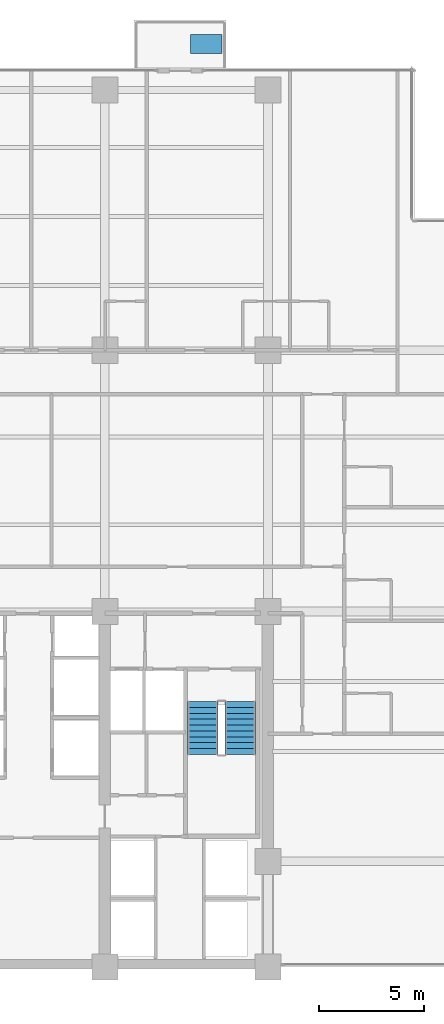
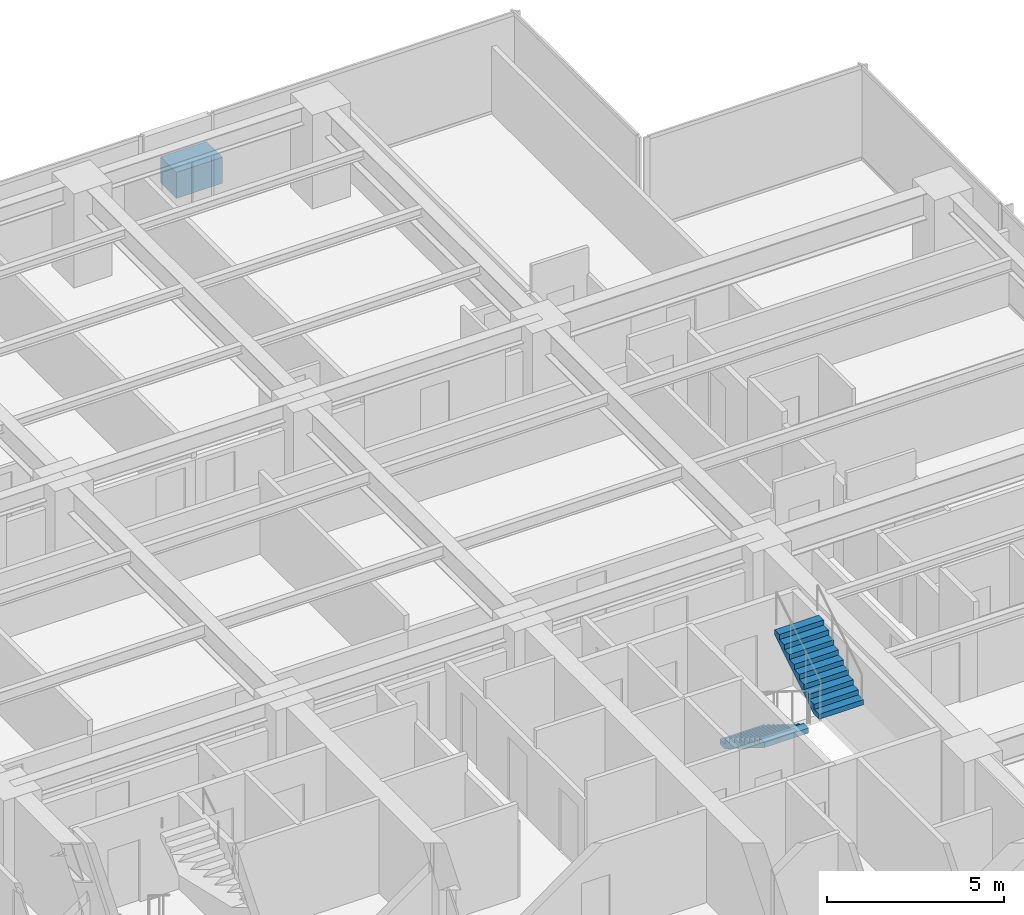
# One storey, part 12 of 17: 2 stair flights, 1 discrete accessory, 1 element without a shape of its own.
"""IFC4 building model written with IfcOpenShell, lengths in metres."""

import ifcopenshell
import ifcopenshell.guid

model = None  # the IFC model being written
_history = None  # IfcOwnerHistory: only IFC2X3 demands one
_inside = {}  # id of a spatial element -> (the spatial element, [elements in it])
_under = {}  # id of a project, library or spatial element -> (it, [spatial elements below it])
_declared = {}  # id of a project -> (the project, [libraries it declares])
_typed = {}  # id of a type object -> (the type object, [elements of that type])
_made_of = {}  # id of a material, layer set ... -> (it, [elements and type objects made of it])


def new_model(schema):
    """Start an empty IFC model of exactly this schema.

    Asked for "IFC4X3", IfcOpenShell would pick the latest addendum, in which some entities
    have other attributes; the version numbers below select the first issue.
    IFC2X3 requires an IfcOwnerHistory on every rooted entity: one is made here for all.
    """
    global model, _history
    if schema == "IFC4X3":
        model = ifcopenshell.file(schema_version=(4, 3, 0, 0))
    else:
        model = ifcopenshell.file(schema=schema)
    _inside.clear()
    _under.clear()
    _declared.clear()
    _typed.clear()
    _made_of.clear()
    _history = None
    if model.schema == "IFC2X3":
        org = make("IfcOrganization", Name="unknown")
        user = make(
            "IfcPersonAndOrganization",
            ThePerson=make("IfcPerson", FamilyName="unknown"),
            TheOrganization=org,
        )
        app = make(
            "IfcApplication",
            ApplicationDeveloper=org,
            Version="unknown",
            ApplicationFullName="unknown",
            ApplicationIdentifier="unknown",
        )
        _history = make(
            "IfcOwnerHistory",
            OwningUser=user,
            OwningApplication=app,
            ChangeAction="ADDED",
            CreationDate=0,
        )
    return model


def make(cls, **values):
    """One entity of the class cls with the attributes given. An attribute that is None is left unset."""
    return model.create_entity(
        cls, **{name: value for name, value in values.items() if value is not None}
    )


def rooted(cls, **values):
    """An entity with a GlobalId (a new one), such as an element, a storey or a relation."""
    return make(cls, GlobalId=ifcopenshell.guid.new(), OwnerHistory=_history, **values)


def si_unit(unit_type, name, prefix=None):
    """IfcSIUnit, for example si_unit("LENGTHUNIT", "METRE", prefix="MILLI")."""
    return make("IfcSIUnit", UnitType=unit_type, Prefix=prefix, Name=name)


def assignment(units):
    """IfcUnitAssignment: the units of a project."""
    return None if units is None else make("IfcUnitAssignment", Units=units)


def point(xyz):
    """IfcCartesianPoint."""
    return None if xyz is None else make("IfcCartesianPoint", Coordinates=xyz)


def direction(xyz):
    """IfcDirection."""
    return None if xyz is None else make("IfcDirection", DirectionRatios=xyz)


def frame(location, z_axis=None, x_axis=None):
    """IfcAxis2Placement3D, a coordinate frame: its origin and axes. An axis left out is left unset."""
    return make(
        "IfcAxis2Placement3D",
        Location=point(location),
        Axis=direction(z_axis),
        RefDirection=direction(x_axis),
    )


def origin():
    """The frame at (0, 0, 0) with its axes left unset."""
    return frame((0.0, 0.0, 0.0))


def place(relative_to, where):
    """IfcLocalPlacement: puts the frame where relative to a parent placement (None: the world)."""
    return make(
        "IfcLocalPlacement", PlacementRelTo=relative_to, RelativePlacement=where
    )


def context(
    kind, dimensions, precision=None, world=None, true_north=None, identifier=None
):
    """IfcGeometricRepresentationContext, for example the 3D "Model" context."""
    return make(
        "IfcGeometricRepresentationContext",
        ContextIdentifier=identifier,
        ContextType=kind,
        CoordinateSpaceDimension=dimensions,
        Precision=precision,
        WorldCoordinateSystem=world,
        TrueNorth=true_north,
    )


def subcontext(parent, identifier, kind, view, scale=None):
    """IfcGeometricRepresentationSubContext, for example "Body" below "Model"."""
    return make(
        "IfcGeometricRepresentationSubContext",
        ContextIdentifier=identifier,
        ContextType=kind,
        ParentContext=parent,
        TargetScale=scale,
        TargetView=view,
    )


def project(units=None, contexts=None):
    """IfcProject with its units and contexts."""
    return rooted(
        "IfcProject",
        Name="project",
        RepresentationContexts=contexts,
        UnitsInContext=assignment(units),
    )


def spatial(cls, under=None, at=None, **own):
    """A site, building, storey or space (cls), placed at a placement, below another one or the project."""
    s = rooted(cls, ObjectPlacement=at, **own)
    if under is not None:
        _under.setdefault(under.id(), (under, []))[1].append(s)
    return s


def polyline(points):
    """IfcPolyline through the points."""
    return make("IfcPolyline", Points=[point(p) for p in points])


def outline(outer, holes=None, kind="AREA"):
    """IfcArbitraryClosedProfileDef: a profile drawn as a closed curve; with holes, ...WithVoids."""
    if holes is None:
        return make("IfcArbitraryClosedProfileDef", ProfileType=kind, OuterCurve=outer)
    return make(
        "IfcArbitraryProfileDefWithVoids",
        ProfileType=kind,
        OuterCurve=outer,
        InnerCurves=holes,
    )


def extrude(swept, where, along, depth):
    """IfcExtrudedAreaSolid: the profile swept, set in the frame where, extruded along a direction by depth."""
    return make(
        "IfcExtrudedAreaSolid",
        SweptArea=swept,
        Position=where,
        ExtrudedDirection=direction(along),
        Depth=depth,
    )


def shape(context_of_items, identifier, shape_type, items):
    """IfcShapeRepresentation: the items that make up one representation, for example the "Body"."""
    return make(
        "IfcShapeRepresentation",
        ContextOfItems=context_of_items,
        RepresentationIdentifier=identifier,
        RepresentationType=shape_type,
        Items=items,
    )


def material(Name=None, Category=None):
    """IfcMaterial."""
    return make("IfcMaterial", Name=Name, Category=Category)


def layer(
    of_material, thickness, ventilated=None, Name=None, Category=None, Priority=None
):
    """IfcMaterialLayer: one layer of a wall or slab, of a material (None: an air gap)."""
    return make(
        "IfcMaterialLayer",
        Material=of_material,
        LayerThickness=thickness,
        IsVentilated=ventilated,
        Name=Name,
        Category=Category,
        Priority=Priority,
    )


def layer_set(layers, Name=None):
    """IfcMaterialLayerSet."""
    return make("IfcMaterialLayerSet", MaterialLayers=layers, LayerSetName=Name)


def made_of(thing, what):
    """Note that an element or type object is made of a material, layer set ...; save() writes the relation."""
    if what is not None:
        _made_of.setdefault(what.id(), (what, []))[1].append(thing)
    return thing


def type_object(cls, material=None, **own):
    """A type object (cls), such as IfcWallType, which elements share."""
    return made_of(rooted(cls, **own), material)


def element(
    cls,
    number,
    at=None,
    inside=None,
    cuts=None,
    type_object=None,
    material=None,
    context=None,
    identifier="Body",
    shape_type=None,
    held_by="IfcProductDefinitionShape",
    body=None,
    shapes=None,
    **own,
):
    """One element of the class cls, such as IfcWall. Its Tag is "e" and its number.

    at: its placement. inside: the storey or other place that contains it. cuts: it is an
    opening in that element (IfcRelVoidsElement). A single representation is given by context,
    identifier, shape_type and body (its items); several are given by shapes. held_by: the class
    of the entity that holds the representations. save() writes the other relations.
    """
    e = rooted(cls, Tag="e%d" % number, ObjectPlacement=at, **own)
    if body is not None:
        shapes = [shape(context, identifier, shape_type, body)]
    if shapes is not None:
        e.Representation = make(held_by, Representations=shapes)
    if inside is not None:
        _inside.setdefault(inside.id(), (inside, []))[1].append(e)
    if cuts is not None:
        rooted(
            "IfcRelVoidsElement", RelatingBuildingElement=cuts, RelatedOpeningElement=e
        )
    if type_object is not None:
        _typed.setdefault(type_object.id(), (type_object, []))[1].append(e)
    return made_of(e, material)


def aggregate(whole, parts):
    """IfcRelAggregates: a whole, such as a stair, and the parts it consists of."""
    return rooted("IfcRelAggregates", RelatingObject=whole, RelatedObjects=parts)


def save(model, path):
    """Write the relations noted so far, then the file.

    IfcRelAggregates (storeys below a building ...), IfcRelContainedInSpatialStructure (elements
    in a storey), IfcRelDefinesByType, IfcRelAssociatesMaterial and IfcRelDeclares: one each for
    every whole, place, type object, material and project.
    """
    for whole, parts in _under.values():
        aggregate(whole, parts)
    for where, things in _inside.values():
        rooted(
            "IfcRelContainedInSpatialStructure",
            RelatedElements=things,
            RelatingStructure=where,
        )
    for kind, things in _typed.values():
        rooted("IfcRelDefinesByType", RelatedObjects=things, RelatingType=kind)
    for what, things in _made_of.values():
        rooted("IfcRelAssociatesMaterial", RelatedObjects=things, RelatingMaterial=what)
    for by, libraries in _declared.values():
        rooted("IfcRelDeclares", RelatingContext=by, RelatedDefinitions=libraries)
    model.write(path)


model = new_model("IFC4")

# Units and contexts
model_context = context("Model", 3, precision=1e-05, world=origin(), true_north=direction((0.0, 1.0)))
body_context = subcontext(model_context, "Body", "Model", "MODEL_VIEW")
ifc_project = project(units=[si_unit("LENGTHUNIT", "METRE"), si_unit("AREAUNIT", "SQUARE_METRE"), si_unit("VOLUMEUNIT", "CUBIC_METRE"), si_unit("PLANEANGLEUNIT", "RADIAN"), si_unit("MASSUNIT", "GRAM", prefix="KILO")], contexts=[model_context])

# Site, building, storey
site_placement = place(None, origin())
site = spatial("IfcSite", under=ifc_project, at=site_placement, CompositionType="ELEMENT")
building_placement = place(site_placement, origin())
building = spatial("IfcBuilding", under=site, at=building_placement, Name="Qalmaran Belvedere Hotel", CompositionType="ELEMENT")
storey_placement = place(building_placement, frame((0.0, 0.0, 102.199951171875)))
storey = spatial("IfcBuildingStorey", under=building, at=storey_placement, Name="L25", CompositionType="ELEMENT", Elevation=102.199951171875)

# Stair, stair flights
ifc_material = material(Name="Concrete C40/50", Category="concrete")
stair_type = type_object("IfcStairType", Name="STR-ST-2-1450-R1750", PredefinedType="HALF_TURN_STAIR", material=ifc_material)
stair_placement = place(storey_placement, origin())
stair = element("IfcStair", 1, at=stair_placement, inside=storey, type_object=stair_type, Name="L25 East Core Exit Stair ST-2", PredefinedType="HALF_TURN_STAIR")
ifc_layer = layer(ifc_material, 0.14990234375, Name="Concrete C40/50")
ifc_layer_set = layer_set([ifc_layer], Name="Concrete C40/50")
stair_flight_type = type_object("IfcStairFlightType", Name="STF-ST-2-1450-R1750", PredefinedType="STRAIGHT", material=ifc_layer_set)
stair_flight_1_placement = place(storey_placement, frame((41.68505859375, 16.18994140625, 0.0), z_axis=(0.0, 0.0, 1.0), x_axis=(0.0, -1.0, 0.0)))
stair_flight_1 = element("IfcStairFlight", 2, at=stair_flight_1_placement, type_object=stair_flight_type, Name="ST-2 flight 1", NumberOfRisers=10, NumberOfTreads=9, PredefinedType="STRAIGHT", RiserHeight=0.175, TreadLength=0.28, context=body_context, shape_type="SweptSolid", body=[
    extrude(outline(polyline([(0.0, 0.0), (0.0, 0.175048828125), (0.280029296875, 0.175048828125), (0.280029296875, 0.35009765625), (0.56005859375, 0.35009765625), (0.56005859375, 0.52490234375), (0.840087890625, 0.52490234375), (0.840087890625, 0.699951171875), (1.1201171875, 0.699951171875), (1.1201171875, 0.875), (1.39990234375, 0.875), (1.39990234375, 1.050048828125), (1.679931640625, 1.050048828125), (1.679931640625, 1.22509765625), (1.9599609375, 1.22509765625), (1.9599609375, 1.39990234375), (2.239990234375, 1.39990234375), (2.239990234375, 1.574951171875), (2.52001953125, 1.574951171875), (2.52001953125, 1.75), (2.52001953125, 1.398193359375), (0.28271484375, 0.0), (0.0, 0.0)])), frame((0.0, 0.72509765625, 0.0), z_axis=(0.0, -1.0, 0.0), x_axis=(1.0, 0.0, 0.0)), (0.0, 0.0, 1.0), 1.449951171875),
])
stair_flight_2_placement = place(storey_placement, frame((43.47509765625, 13.669921875, 1.75), z_axis=(0.0, 0.0, 1.0), x_axis=(0.0, 1.0, 0.0)))
stair_flight_2 = element("IfcStairFlight", 3, at=stair_flight_2_placement, type_object=stair_flight_type, Name="ST-2 flight 2", NumberOfRisers=10, NumberOfTreads=9, PredefinedType="STRAIGHT", RiserHeight=0.175, TreadLength=0.28, context=body_context, shape_type="SweptSolid", body=[
    extrude(outline(polyline([(0.0, 0.0), (0.0, 0.175048828125), (0.280029296875, 0.175048828125), (0.280029296875, 0.35009765625), (0.56005859375, 0.35009765625), (0.56005859375, 0.52490234375), (0.840087890625, 0.52490234375), (0.840087890625, 0.699951171875), (1.1201171875, 0.699951171875), (1.1201171875, 0.875), (1.39990234375, 0.875), (1.39990234375, 1.050048828125), (1.679931640625, 1.050048828125), (1.679931640625, 1.22509765625), (1.9599609375, 1.22509765625), (1.9599609375, 1.39990234375), (2.239990234375, 1.39990234375), (2.239990234375, 1.574951171875), (2.52001953125, 1.574951171875), (2.52001953125, 1.75), (2.52001953125, 1.398193359375), (0.28271484375, 0.0), (0.0, 0.0)])), frame((0.0, 0.72509765625, 0.0), z_axis=(0.0, -1.0, 0.0), x_axis=(1.0, 0.0, 0.0)), (0.0, 0.0, 1.0), 1.449951171875),
])
aggregate(stair, [stair_flight_1, stair_flight_2])

# Discrete accessory
discrete_accessory_type = type_object("IfcDiscreteAccessoryType", Name="PLN-BAL-1500", PredefinedType="USERDEFINED", material=ifc_material)
discrete_accessory_placement = place(storey_placement, origin())
element("IfcDiscreteAccessory", 4, at=discrete_accessory_placement, inside=storey, type_object=discrete_accessory_type, Name="L25 Sky Tree Planter", ObjectType="PLANTER", PredefinedType="USERDEFINED", context=body_context, shape_type="SweptSolid", body=[
    extrude(outline(polyline([(41.10009765625, 47.199951171875), (42.60009765625, 47.199951171875), (42.60009765625, 48.10009765625), (41.10009765625, 48.10009765625), (41.10009765625, 47.199951171875)])), origin(), (0.0, 0.0, 1.0), 0.900146484375),
])

save(model, "model.ifc")
